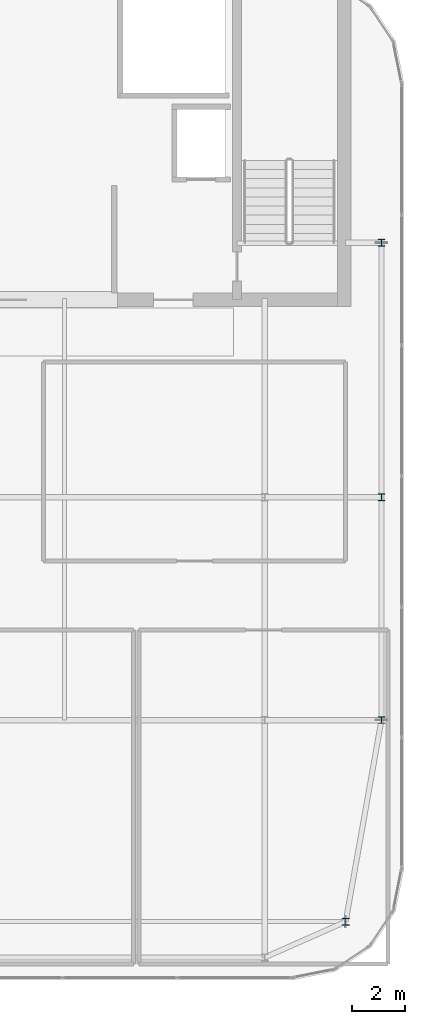
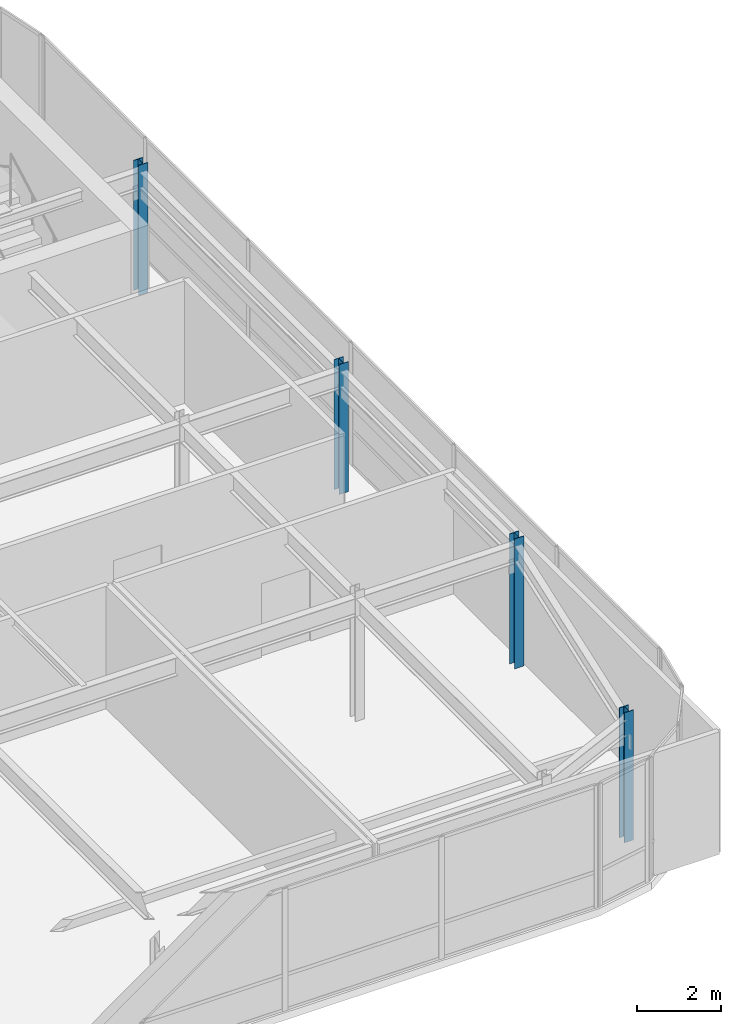
# One storey, part 3 of 36: 4 columns.
"""IFC4 building model written with IfcOpenShell, lengths in metres."""

from ifc_helpers import new_model, si_unit, direction, frame, origin, origin_2d, place, context, subcontext, project, spatial, i_section, extrude, source, transform, mapped, material, material_profile, profile_set, type_object, type_shapes, element, save


model = new_model("IFC4")

# Units and contexts
model_context = context("Model", 3, precision=1e-05, world=origin(), true_north=direction((0.0, 1.0)))
body_context = subcontext(model_context, "Body", "Model", "MODEL_VIEW")
ifc_project = project(units=[si_unit("LENGTHUNIT", "METRE"), si_unit("AREAUNIT", "SQUARE_METRE"), si_unit("VOLUMEUNIT", "CUBIC_METRE"), si_unit("PLANEANGLEUNIT", "RADIAN"), si_unit("MASSUNIT", "GRAM", prefix="KILO")], contexts=[model_context])

# Site, building, storey
site_placement = place(None, origin())
site = spatial("IfcSite", under=ifc_project, at=site_placement, CompositionType="ELEMENT")
building_placement = place(site_placement, origin())
building = spatial("IfcBuilding", under=site, at=building_placement, Name="Tolvann Quenvar Hotel", CompositionType="ELEMENT")
storey_placement = place(building_placement, frame((0.0, 0.0, 306.14990234375)))
storey = spatial("IfcBuildingStorey", under=building, at=storey_placement, Name="L81", CompositionType="ELEMENT", Elevation=306.14990234375)

# Columns
ifc_material = material(Name="Steel Grade 350", Category="steel")
ifc_material_profile = material_profile(ifc_material, i_section(OverallWidth=0.25390625, OverallDepth=0.25390625, WebThickness=0.008544921875, FlangeThickness=0.01416015625, FilletRadius=0.013916015625, at=origin_2d()), Name="250UC73")
ifc_profile_set = profile_set([ifc_material_profile], Name="Steel Grade 350")
column_type = type_object("IfcColumnType", Name="COL_250UC73", PredefinedType="COLUMN", material=ifc_profile_set)
shared_shape = source(origin(), body_context, "Body", "SweptSolid", [
    extrude(i_section(OverallWidth=0.25390625, OverallDepth=0.25390625, WebThickness=0.008544921875, FlangeThickness=0.01416015625, FilletRadius=0.013916015625, at=origin_2d()), origin(), (0.0, 0.0, 1.0), 3.800048828125),
])
type_shapes(column_type, [shared_shape])
for number, where, z_axis, x_axis, name in (
    (1, (35.800048828125, 8.39990234375, 0.0), (0.0, 0.0, 1.0), (1.0, 0.0, 0.0), "Column G2 (L81)"),
    (2, (37.14990234375, 16.0, 0.0), (0.0, 0.0, 1.0), (1.0, 0.0, 0.0), "Column G4 (L81)"),
    (3, (37.14990234375, 24.39990234375, 0.0), (0.0, 0.0, 1.0), (1.0, 0.0, 0.0), "Column G5 (L81)"),
    (4, (37.14990234375, 34.0, 0.0), (0.0, 0.0, 1.0), (1.0, 0.0, 0.0), "Column GD6 (L81)"),
):
    element("IfcColumn", number, at=place(storey_placement, frame(where, z_axis=z_axis, x_axis=x_axis)), inside=storey, type_object=column_type, Name=name, PredefinedType="COLUMN", context=body_context, shape_type="MappedRepresentation", body=[
        mapped(shared_shape, transform((0.0, 0.0, 0.0), x_axis=(1.0, 0.0, 0.0), y_axis=(0.0, 1.0, 0.0), z_axis=(0.0, 0.0, 1.0), scale=1.0)),
    ])

save(model, "model.ifc")
